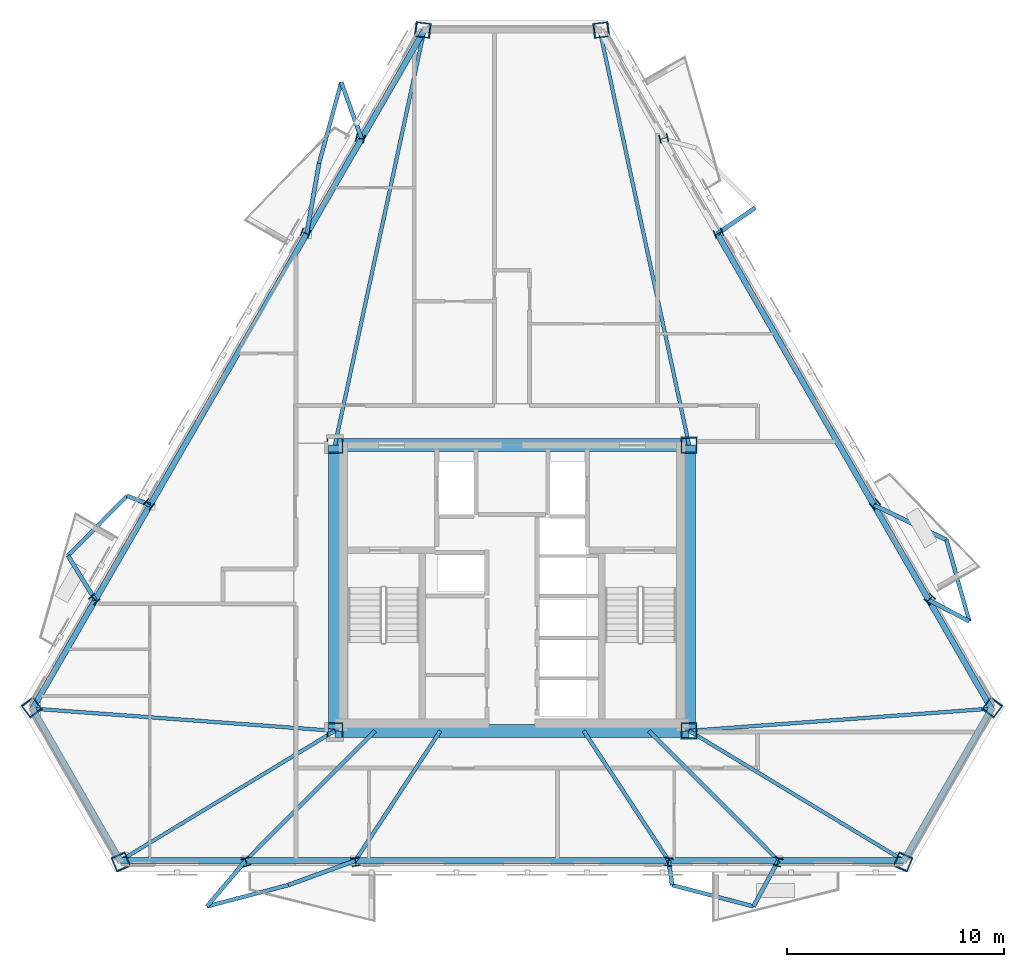
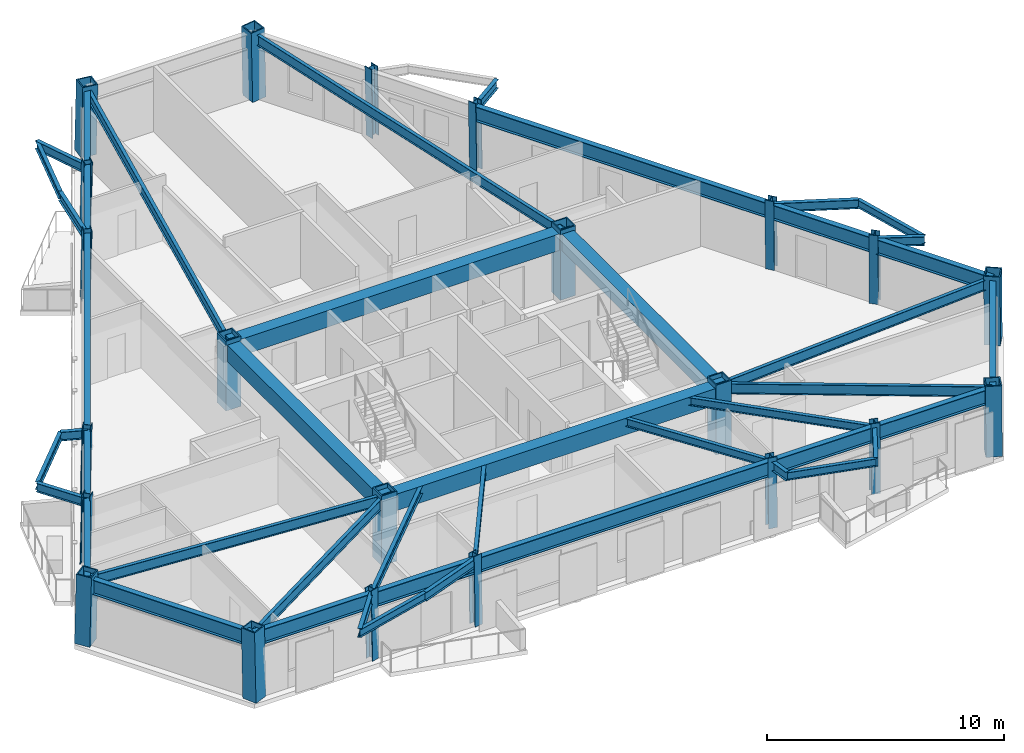
# One storey, part 1 of 9: 45 beams, 22 columns.
"""IFC4 building model written with IfcOpenShell, lengths in metres."""

from ifc_helpers import new_model, si_unit, direction, frame, origin, origin_2d, place, context, subcontext, project, spatial, rectangle, hollow_rectangle, i_section, extrude, material, material_profile, profile_set, type_object, element, save


model = new_model("IFC4")

# Units and contexts
model_context = context("Model", 3, precision=1e-05, world=origin(), true_north=direction((0.0, 1.0)))
body_context = subcontext(model_context, "Body", "Model", "MODEL_VIEW")
ifc_project = project(units=[si_unit("LENGTHUNIT", "METRE"), si_unit("AREAUNIT", "SQUARE_METRE"), si_unit("VOLUMEUNIT", "CUBIC_METRE"), si_unit("PLANEANGLEUNIT", "RADIAN"), si_unit("MASSUNIT", "GRAM", prefix="KILO")], contexts=[model_context])

# Site, building, storey
site_placement = place(None, origin())
site = spatial("IfcSite", under=ifc_project, at=site_placement, CompositionType="ELEMENT")
building_placement = place(site_placement, origin())
building = spatial("IfcBuilding", under=site, at=building_placement, Name="Oramaril Tower", CompositionType="ELEMENT")
storey_placement = place(building_placement, frame((0.0, 0.0, 178.199951171875)))
storey = spatial("IfcBuildingStorey", under=building, at=storey_placement, Name="L47", CompositionType="ELEMENT", Elevation=178.199951171875)

# Columns
ifc_material_1 = material(Name="Steel ASTM A572 Gr 50", Category="steel")
ifc_material_profile_1 = material_profile(ifc_material_1, hollow_rectangle(XDim=0.75, YDim=0.75, WallThickness=0.06005859375, at=origin_2d()), Name="BOX750X750X60")
ifc_profile_set_1 = profile_set([ifc_material_profile_1], Name="Steel ASTM A572 Gr 50")
column_type_1 = type_object("IfcColumnType", Name="CT-CC4", PredefinedType="COLUMN", material=ifc_profile_set_1)
for number, where, z_axis, x_axis, name in (
    (1, (29.35009765625, 11.0, 0.0), (0.0, 0.0, 1.0), (1.0, 0.0, 0.0), "L47 Core Column CC-1"),
    (2, (45.64990234375, 11.0, 0.0), (0.0, 0.0, 1.0), (1.0, 0.0, 0.0), "L47 Core Column CC-2"),
    (3, (45.64990234375, 24.14990234375, 0.0), (0.0, 0.0, 1.0), (1.0, 0.0, 0.0), "L47 Core Column CC-3"),
    (4, (29.35009765625, 24.14990234375, 0.0), (0.0, 0.0, 1.0), (1.0, 0.0, 0.0), "L47 Core Column CC-4"),
):
    element("IfcColumn", number, at=place(storey_placement, frame(where, z_axis=z_axis, x_axis=x_axis)), inside=storey, type_object=column_type_1, Name=name, PredefinedType="COLUMN", context=body_context, shape_type="SweptSolid", body=[
        extrude(hollow_rectangle(XDim=0.75, YDim=0.75, WallThickness=0.06005859375, at=origin_2d()), origin(), (0.0, 0.0, 1.0), 3.60009765625),
    ])
ifc_material_2 = material(Name="Steel ASTM A572 Gr 50", Category="steel")
ifc_material_profile_2 = material_profile(ifc_material_2, hollow_rectangle(XDim=0.699951171875, YDim=0.699951171875, WallThickness=0.054931640625, at=origin_2d()), Name="BOX700X700X55")
ifc_profile_set_2 = profile_set([ifc_material_profile_2], Name="Steel ASTM A572 Gr 50")
column_type_2 = type_object("IfcColumnType", Name="CT-TC4", PredefinedType="COLUMN", material=ifc_profile_set_2)
column_placement = place(storey_placement, frame((15.3876953125, 12.086669921875, 0.004638671875), z_axis=(0.013051000651, -0.017537282124, 0.999761029005), x_axis=(0.802233221274, 0.59701076932, 0.0)))
element("IfcColumn", 5, at=column_placement, inside=storey, type_object=column_type_2, Name="L47 Tube Column TC-01", PredefinedType="COLUMN", context=body_context, shape_type="SweptSolid", body=[
    extrude(hollow_rectangle(XDim=0.699951171875, YDim=0.699951171875, WallThickness=0.054931640625, at=origin_2d()), origin(), (0.0, 0.0, 1.0), 3.591796875),
])
for number, where, z_axis, x_axis, name in (
    (6, (19.50390625, 4.956787109375, 0.004638671875), (-0.008564729604, 0.020052343122, 0.999762246208), (-0.919628068882, -0.392790293827, 0.0), "L47 Tube Column TC-02"),
    (7, (55.49609375, 4.956787109375, 0.004638671875), (0.008564729604, 0.020052343122, 0.999762246208), (-0.919628068882, 0.392790293827, 0.0), "L47 Tube Column TC-03"),
):
    element("IfcColumn", number, at=place(storey_placement, frame(where, z_axis=z_axis, x_axis=x_axis)), inside=storey, type_object=column_type_2, Name=name, PredefinedType="COLUMN", context=body_context, shape_type="SweptSolid", body=[
        extrude(hollow_rectangle(XDim=0.699951171875, YDim=0.699951171875, WallThickness=0.054931640625, at=origin_2d()), origin(), (0.0, 0.0, 1.0), 3.591552734375),
    ])
for number, where, z_axis, x_axis, name in (
    (8, (59.6123046875, 12.086669921875, 0.004638671875), (-0.013051000651, -0.017537282124, 0.999761029005), (0.802233221274, -0.59701076932, 0.0), "L47 Tube Column TC-04"),
    (9, (41.616455078125, 43.256591796875, 0.004638671875), (-0.02168370496, -0.002583011876, 0.999761544064), (0.118285967789, -0.992979571705, 0.0), "L47 Tube Column TC-05"),
    (10, (33.383544921875, 43.256591796875, 0.004638671875), (0.02168370496, -0.002583011876, 0.999761544064), (0.118285967789, 0.992979571705, 0.0), "L47 Tube Column TC-06"),
):
    element("IfcColumn", number, at=place(storey_placement, frame(where, z_axis=z_axis, x_axis=x_axis)), inside=storey, type_object=column_type_2, Name=name, PredefinedType="COLUMN", context=body_context, shape_type="SweptSolid", body=[
        extrude(hollow_rectangle(XDim=0.699951171875, YDim=0.699951171875, WallThickness=0.054931640625, at=origin_2d()), origin(), (0.0, 0.0, 1.0), 3.591796875),
    ])
ifc_material_3 = material(Name="Steel ASTM A572 Gr 50", Category="steel")
ifc_material_profile_3 = material_profile(ifc_material_3, i_section(OverallWidth=0.39892578125, OverallDepth=0.385986328125, WebThickness=0.02099609375, FlangeThickness=0.033203125, at=origin_2d()), Name="W14X176")
ifc_profile_set_3 = profile_set([ifc_material_profile_3], Name="Steel ASTM A572 Gr 50")
column_type_3 = type_object("IfcColumnType", Name="CT-TF4", PredefinedType="COLUMN", material=ifc_profile_set_3)
for number, where, z_axis, x_axis, name in (
    (11, (25.2626953125, 4.956787109375, 0.004638671875), (-0.005845882352, 0.020052735974, 0.999781832921), (-0.960036440707, -0.279875030172, 0.0), "L47 Tube Column TC-07"),
    (12, (30.301513671875, 4.956787109375, 0.004638671875), (-0.003398807255, 0.020052962802, 0.999793142001), (-0.985938557634, -0.167108230108, 0.0), "L47 Tube Column TC-08"),
    (13, (44.698486328125, 4.956787109375, 0.004638671875), (0.003398807255, 0.020052962802, 0.999793142001), (-0.985938557634, 0.167108230108, 0.0), "L47 Tube Column TC-09"),
    (14, (49.7373046875, 4.956787109375, 0.004638671875), (0.005845882352, 0.020052735974, 0.999781832921), (-0.960036440707, 0.279875030172, 0.0), "L47 Tube Column TC-10"),
    (15, (56.73291015625, 17.07373046875, 0.004638671875), (-0.014410786177, -0.015090540242, 0.999782278717), (0.723207610722, -0.69063069132, 0.0), "L47 Tube Column TC-11"),
    (16, (54.213623046875, 21.4375, 0.004638671875), (-0.015702478016, -0.012983434203, 0.999792409763), (0.637226255418, -0.770676780113, 0.0), "L47 Tube Column TC-12"),
    (17, (47.01513671875, 33.905517578125, 0.004638671875), (-0.01910128565, -0.007069514974, 0.999792559907), (0.347096947919, -0.937829253513, 0.0), "L47 Tube Column TC-13"),
    (18, (44.495849609375, 38.269287109375, 0.004638671875), (-0.02032462297, -0.004962198919, 0.999781119187), (0.237180560732, -0.971465584368, 0.0), "L47 Tube Column TC-14"),
    (19, (30.504150390625, 38.269287109375, 0.004638671875), (0.02032462297, -0.004962198919, 0.999781119187), (0.237180560732, 0.971465584368, 0.0), "L47 Tube Column TC-15"),
    (20, (27.98486328125, 33.905517578125, 0.004638671875), (0.019101294785, -0.007001542216, 0.999793038055), (0.344156469266, 0.938912309357, 0.0), "L47 Tube Column TC-16"),
    (21, (20.786376953125, 21.4375, 0.004638671875), (0.015702478016, -0.012983434203, 0.999792409763), (0.637226255418, 0.770676780113, 0.0), "L47 Tube Column TC-17"),
    (22, (18.26708984375, 17.07373046875, 0.004638671875), (0.014410786177, -0.015090540242, 0.999782278717), (0.723207610722, 0.69063069132, 0.0), "L47 Tube Column TC-18"),
):
    element("IfcColumn", number, at=place(storey_placement, frame(where, z_axis=z_axis, x_axis=x_axis)), inside=storey, type_object=column_type_3, Name=name, PredefinedType="COLUMN", context=body_context, shape_type="SweptSolid", body=[
        extrude(i_section(OverallWidth=0.39892578125, OverallDepth=0.385986328125, WebThickness=0.02099609375, FlangeThickness=0.033203125, at=origin_2d()), origin(), (0.0, 0.0, 1.0), 3.591552734375),
    ])

# Beams
ifc_material_4 = material(Name="Steel ASTM A572 Gr 50", Category="steel")
ifc_material_profile_4 = material_profile(ifc_material_4, i_section(OverallWidth=0.19091796875, OverallDepth=0.45703125, WebThickness=0.009033203125, FlangeThickness=0.014404296875, at=origin_2d()), Name="W18X50")
ifc_profile_set_4 = profile_set([ifc_material_profile_4], Name="Steel ASTM A572 Gr 50")
beam_type_1 = type_object("IfcBeamType", Name="BT-BB1", PredefinedType="BEAM", material=ifc_profile_set_4)
beam_1_placement = place(storey_placement, frame((25.24169921875, 5.02880859375, 3.151611328125), z_axis=(-0.64539081158, -0.763852538339, 0.0), x_axis=(0.763852538339, -0.64539081158, 0.0)))
element("IfcBeam", 23, at=beam_1_placement, inside=storey, type_object=beam_type_1, Name="L47 Balcony Column-Framed Cantilever 01.1", PredefinedType="BEAM", context=body_context, shape_type="SweptSolid", body=[
    extrude(i_section(OverallWidth=0.19091796875, OverallDepth=0.45703125, WebThickness=0.009033203125, FlangeThickness=0.014404296875, at=origin_2d()), origin(), (0.0, 0.0, 1.0), 2.759521484375),
])
beam_2_placement = place(storey_placement, frame((30.289306640625, 5.02880859375, 3.151611328125), z_axis=(-0.939184260424, -0.34341363539, 0.0), x_axis=(0.34341363539, -0.939184260424, 0.0)))
element("IfcBeam", 24, at=beam_2_placement, inside=storey, type_object=beam_type_1, Name="L47 Balcony Column-Framed Cantilever 01.2", PredefinedType="BEAM", context=body_context, shape_type="SweptSolid", body=[
    extrude(i_section(OverallWidth=0.19091796875, OverallDepth=0.45703125, WebThickness=0.009033203125, FlangeThickness=0.014404296875, at=origin_2d()), origin(), (0.0, 0.0, 1.0), 3.284423828125),
])
beam_3_placement = place(storey_placement, frame((44.710693359375, 5.02880859375, 3.151611328125), z_axis=(0.140161077837, -0.990128714996, 0.0), x_axis=(0.990128714996, 0.140161077837, 0.0)))
element("IfcBeam", 25, at=beam_3_placement, inside=storey, type_object=beam_type_1, Name="L47 Balcony Column-Framed Cantilever 02.1", PredefinedType="BEAM", context=body_context, shape_type="SweptSolid", body=[
    extrude(i_section(OverallWidth=0.19091796875, OverallDepth=0.45703125, WebThickness=0.009033203125, FlangeThickness=0.014404296875, at=origin_2d()), origin(), (0.0, 0.0, 1.0), 1.13916015625),
])
beam_4_placement = place(storey_placement, frame((49.75830078125, 5.02880859375, 3.151611328125), z_axis=(-0.476932351481, -0.878940004842, 0.0), x_axis=(0.878940004842, -0.476932351481, 0.0)))
element("IfcBeam", 26, at=beam_4_placement, inside=storey, type_object=beam_type_1, Name="L47 Balcony Column-Framed Cantilever 02.2", PredefinedType="BEAM", context=body_context, shape_type="SweptSolid", body=[
    extrude(i_section(OverallWidth=0.19091796875, OverallDepth=0.45703125, WebThickness=0.009033203125, FlangeThickness=0.014404296875, at=origin_2d()), origin(), (0.0, 0.0, 1.0), 2.398193359375),
])
beam_5_placement = place(storey_placement, frame((56.68115234375, 17.01953125, 3.151611328125), z_axis=(0.885765795638, -0.464132475999, 0.0), x_axis=(0.464132475999, 0.885765795638, 0.0)))
element("IfcBeam", 27, at=beam_5_placement, inside=storey, type_object=beam_type_1, Name="L47 Balcony Column-Framed Cantilever 03.1", PredefinedType="BEAM", context=body_context, shape_type="SweptSolid", body=[
    extrude(i_section(OverallWidth=0.19091796875, OverallDepth=0.45703125, WebThickness=0.009033203125, FlangeThickness=0.014404296875, at=origin_2d()), origin(), (0.0, 0.0, 1.0), 2.108154296875),
])
beam_6_placement = place(storey_placement, frame((54.1572265625, 21.390869140625, 3.151611328125), z_axis=(0.901439641446, -0.432904808046, 0.0), x_axis=(0.432904808046, 0.901439641446, 0.0)))
element("IfcBeam", 28, at=beam_6_placement, inside=storey, type_object=beam_type_1, Name="L47 Balcony Column-Framed Cantilever 03.2", PredefinedType="BEAM", context=body_context, shape_type="SweptSolid", body=[
    extrude(i_section(OverallWidth=0.19091796875, OverallDepth=0.45703125, WebThickness=0.009033203125, FlangeThickness=0.014404296875, at=origin_2d()), origin(), (0.0, 0.0, 1.0), 3.7001953125),
])
beam_7_placement = place(storey_placement, frame((46.946533203125, 33.880126953125, 3.151611328125), z_axis=(0.8257799939, 0.563992377319, 0.0), x_axis=(-0.563992377319, 0.8257799939, 0.0)))
element("IfcBeam", 29, at=beam_7_placement, inside=storey, type_object=beam_type_1, Name="L47 Balcony Column-Framed Cantilever 04.1", PredefinedType="BEAM", context=body_context, shape_type="SweptSolid", body=[
    extrude(i_section(OverallWidth=0.19091796875, OverallDepth=0.45703125, WebThickness=0.009033203125, FlangeThickness=0.014404296875, at=origin_2d()), origin(), (0.0, 0.0, 1.0), 2.1142578125),
])
beam_8_placement = place(storey_placement, frame((30.5771484375, 38.25146484375, 3.151611328125), z_axis=(-0.338800910133, 0.940858088817, 0.0), x_axis=(-0.940858088817, -0.338800910133, 0.0)))
element("IfcBeam", 30, at=beam_8_placement, inside=storey, type_object=beam_type_1, Name="L47 Balcony Column-Framed Cantilever 05.1", PredefinedType="BEAM", context=body_context, shape_type="SweptSolid", body=[
    extrude(i_section(OverallWidth=0.19091796875, OverallDepth=0.45703125, WebThickness=0.009033203125, FlangeThickness=0.014404296875, at=origin_2d()), origin(), (0.0, 0.0, 1.0), 2.760009765625),
])
beam_9_placement = place(storey_placement, frame((28.053466796875, 33.88037109375, 3.151611328125), z_axis=(0.172156740338, 0.985069569501, 0.0), x_axis=(-0.985069569501, 0.172156740338, 0.0)))
element("IfcBeam", 31, at=beam_9_placement, inside=storey, type_object=beam_type_1, Name="L47 Balcony Column-Framed Cantilever 05.2", PredefinedType="BEAM", context=body_context, shape_type="SweptSolid", body=[
    extrude(i_section(OverallWidth=0.19091796875, OverallDepth=0.45703125, WebThickness=0.009033203125, FlangeThickness=0.014404296875, at=origin_2d()), origin(), (0.0, 0.0, 1.0), 3.284423828125),
])
beam_10_placement = place(storey_placement, frame((20.8427734375, 21.390869140625, 3.151611328125), z_axis=(-0.927557693746, 0.373679976413, 0.0), x_axis=(-0.373679976413, -0.927557693746, 0.0)))
element("IfcBeam", 32, at=beam_10_placement, inside=storey, type_object=beam_type_1, Name="L47 Balcony Column-Framed Cantilever 06.1", PredefinedType="BEAM", context=body_context, shape_type="SweptSolid", body=[
    extrude(i_section(OverallWidth=0.19091796875, OverallDepth=0.45703125, WebThickness=0.009033203125, FlangeThickness=0.014404296875, at=origin_2d()), origin(), (0.0, 0.0, 1.0), 1.139404296875),
])
beam_11_placement = place(storey_placement, frame((18.31884765625, 17.01953125, 3.151611328125), z_axis=(-0.52270526866, 0.852513461545, 0.0), x_axis=(-0.852513461545, -0.52270526866, 0.0)))
element("IfcBeam", 33, at=beam_11_placement, inside=storey, type_object=beam_type_1, Name="L47 Balcony Column-Framed Cantilever 06.2", PredefinedType="BEAM", context=body_context, shape_type="SweptSolid", body=[
    extrude(i_section(OverallWidth=0.19091796875, OverallDepth=0.45703125, WebThickness=0.009033203125, FlangeThickness=0.014404296875, at=origin_2d()), origin(), (0.0, 0.0, 1.0), 2.3984375),
])
ifc_material_5 = material(Name="Concrete C50/60", Category="concrete")
ifc_material_profile_5 = material_profile(ifc_material_5, rectangle(XDim=0.60009765625, YDim=0.85009765625, at=origin_2d()), Name="CB600X850")
ifc_profile_set_5 = profile_set([ifc_material_profile_5], Name="Concrete C50/60")
beam_type_2 = type_object("IfcBeamType", Name="BT-CB2", PredefinedType="BEAM", material=ifc_profile_set_5)
beam_12_placement = place(storey_placement, frame((29.35009765625, 11.0, 2.955078125), z_axis=(1.0, 0.0, 0.0), x_axis=(0.0, 1.0, 0.0)))
element("IfcBeam", 34, at=beam_12_placement, inside=storey, type_object=beam_type_2, Name="L47 Core Header Beam CB-1", PredefinedType="BEAM", context=body_context, shape_type="SweptSolid", body=[
    extrude(rectangle(XDim=0.60009765625, YDim=0.85009765625, at=origin_2d()), origin(), (0.0, 0.0, 1.0), 16.2998046875),
])
beam_13_placement = place(storey_placement, frame((45.64990234375, 11.0, 2.955078125), z_axis=(0.0, 1.0, 0.0), x_axis=(-1.0, 0.0, 0.0)))
element("IfcBeam", 35, at=beam_13_placement, inside=storey, type_object=beam_type_2, Name="L47 Core Header Beam CB-2", PredefinedType="BEAM", context=body_context, shape_type="SweptSolid", body=[
    extrude(rectangle(XDim=0.60009765625, YDim=0.85009765625, at=origin_2d()), origin(), (0.0, 0.0, 1.0), 13.14990234375),
])
beam_14_placement = place(storey_placement, frame((45.64990234375, 24.14990234375, 2.955078125), z_axis=(-1.0, 0.0, 0.0), x_axis=(0.0, -1.0, 0.0)))
element("IfcBeam", 36, at=beam_14_placement, inside=storey, type_object=beam_type_2, Name="L47 Core Header Beam CB-3", PredefinedType="BEAM", context=body_context, shape_type="SweptSolid", body=[
    extrude(rectangle(XDim=0.60009765625, YDim=0.85009765625, at=origin_2d()), origin(), (0.0, 0.0, 1.0), 16.2998046875),
])
beam_15_placement = place(storey_placement, frame((29.35009765625, 24.14990234375, 2.955078125), z_axis=(0.0, -1.0, 0.0), x_axis=(1.0, 0.0, 0.0)))
element("IfcBeam", 37, at=beam_15_placement, inside=storey, type_object=beam_type_2, Name="L47 Core Header Beam CB-4", PredefinedType="BEAM", context=body_context, shape_type="SweptSolid", body=[
    extrude(rectangle(XDim=0.60009765625, YDim=0.85009765625, at=origin_2d()), origin(), (0.0, 0.0, 1.0), 13.14990234375),
])
ifc_material_6 = material(Name="Steel ASTM A572 Gr 50", Category="steel")
ifc_material_profile_6 = material_profile(ifc_material_6, i_section(OverallWidth=0.166015625, OverallDepth=0.528076171875, WebThickness=0.009765625, FlangeThickness=0.013671875, at=origin_2d()), Name="W21X50")
ifc_profile_set_6 = profile_set([ifc_material_profile_6], Name="Steel ASTM A572 Gr 50")
beam_type_3 = type_object("IfcBeamType", Name="BT-FB3", PredefinedType="BEAM", material=ifc_profile_set_6)
beam_16_placement = place(storey_placement, frame((29.35009765625, 11.0, 3.115966796875), z_axis=(-0.997305103057, 0.073365737344, 0.0), x_axis=(-0.073365737344, -0.997305103057, 0.0)))
element("IfcBeam", 38, at=beam_16_placement, inside=storey, type_object=beam_type_3, Name="L47 Radial Primary Beam RB-01", PredefinedType="BEAM", context=body_context, shape_type="SweptSolid", body=[
    extrude(i_section(OverallWidth=0.166015625, OverallDepth=0.528076171875, WebThickness=0.009765625, FlangeThickness=0.013671875, at=origin_2d()), origin(), (0.0, 0.0, 1.0), 13.953125),
])
for number, where, z_axis, x_axis, name in (
    (39, (29.35009765625, 11.0, 3.115966796875), (-0.85576726737, -0.517360980456, 0.0), (0.517360980456, -0.85576726737, 0.0), "L47 Radial Primary Beam RB-02"),
    (40, (45.64990234375, 11.0, 3.115966796875), (0.85576726737, -0.517360980456, 0.0), (0.517360980456, 0.85576726737, 0.0), "L47 Radial Primary Beam RB-03"),
):
    element("IfcBeam", number, at=place(storey_placement, frame(where, z_axis=z_axis, x_axis=x_axis)), inside=storey, type_object=beam_type_3, Name=name, PredefinedType="BEAM", context=body_context, shape_type="SweptSolid", body=[
        extrude(i_section(OverallWidth=0.166015625, OverallDepth=0.528076171875, WebThickness=0.009765625, FlangeThickness=0.013671875, at=origin_2d()), origin(), (0.0, 0.0, 1.0), 11.541748046875),
    ])
beam_17_placement = place(storey_placement, frame((45.64990234375, 11.0, 3.115966796875), z_axis=(0.997305103057, 0.073365737344, 0.0), x_axis=(-0.073365737344, 0.997305103057, 0.0)))
element("IfcBeam", 41, at=beam_17_placement, inside=storey, type_object=beam_type_3, Name="L47 Radial Primary Beam RB-04", PredefinedType="BEAM", context=body_context, shape_type="SweptSolid", body=[
    extrude(i_section(OverallWidth=0.166015625, OverallDepth=0.528076171875, WebThickness=0.009765625, FlangeThickness=0.013671875, at=origin_2d()), origin(), (0.0, 0.0, 1.0), 13.953125),
])
for number, where, z_axis, x_axis, name in (
    (42, (45.64990234375, 24.14990234375, 3.115966796875), (-0.210460158911, 0.977602435303, 0.0), (-0.977602435303, -0.210460158911, 0.0), "L47 Radial Primary Beam RB-05"),
    (43, (29.35009765625, 24.14990234375, 3.115966796875), (0.210460158911, 0.977602435303, 0.0), (-0.977602435303, 0.210460158911, 0.0), "L47 Radial Primary Beam RB-06"),
):
    element("IfcBeam", number, at=place(storey_placement, frame(where, z_axis=z_axis, x_axis=x_axis)), inside=storey, type_object=beam_type_3, Name=name, PredefinedType="BEAM", context=body_context, shape_type="SweptSolid", body=[
        extrude(i_section(OverallWidth=0.166015625, OverallDepth=0.528076171875, WebThickness=0.009765625, FlangeThickness=0.013671875, at=origin_2d()), origin(), (0.0, 0.0, 1.0), 19.534912109375),
    ])
ifc_material_7 = material(Name="Steel ASTM A572 Gr 50", Category="steel")
ifc_material_profile_7 = material_profile(ifc_material_7, i_section(OverallWidth=0.177978515625, OverallDepth=0.404052734375, WebThickness=0.007568359375, FlangeThickness=0.010986328125, at=origin_2d()), Name="W16X36")
ifc_profile_set_7 = profile_set([ifc_material_profile_7], Name="Steel ASTM A572 Gr 50")
beam_type_4 = type_object("IfcBeamType", Name="BT-SB1", PredefinedType="BEAM", material=ifc_profile_set_7)
beam_18_placement = place(storey_placement, frame((31.199951171875, 11.0, 3.177978515625), z_axis=(-0.706339391502, -0.707873338962, 0.0), x_axis=(0.707873338962, -0.706339391502, 0.0)))
element("IfcBeam", 44, at=beam_18_placement, inside=storey, type_object=beam_type_4, Name="L47 Secondary Floor Beam SB-01", PredefinedType="BEAM", context=body_context, shape_type="SweptSolid", body=[
    extrude(i_section(OverallWidth=0.177978515625, OverallDepth=0.404052734375, WebThickness=0.007568359375, FlangeThickness=0.010986328125, at=origin_2d()), origin(), (0.0, 0.0, 1.0), 8.435302734375),
])
for number, where, z_axis, x_axis, name in (
    (45, (34.199951171875, 11.0, 3.177978515625), (-0.547877709368, -0.836558435244, 0.0), (0.836558435244, -0.547877709368, 0.0), "L47 Secondary Floor Beam SB-02"),
    (46, (40.800048828125, 11.0, 3.177978515625), (0.547877709368, -0.836558435244, 0.0), (0.836558435244, 0.547877709368, 0.0), "L47 Secondary Floor Beam SB-03"),
):
    element("IfcBeam", number, at=place(storey_placement, frame(where, z_axis=z_axis, x_axis=x_axis)), inside=storey, type_object=beam_type_4, Name=name, PredefinedType="BEAM", context=body_context, shape_type="SweptSolid", body=[
        extrude(i_section(OverallWidth=0.177978515625, OverallDepth=0.404052734375, WebThickness=0.007568359375, FlangeThickness=0.010986328125, at=origin_2d()), origin(), (0.0, 0.0, 1.0), 7.1376953125),
    ])
beam_19_placement = place(storey_placement, frame((43.800048828125, 11.0, 3.177978515625), z_axis=(0.706339391502, -0.707873338962, 0.0), x_axis=(0.707873338962, 0.706339391502, 0.0)))
element("IfcBeam", 47, at=beam_19_placement, inside=storey, type_object=beam_type_4, Name="L47 Secondary Floor Beam SB-04", PredefinedType="BEAM", context=body_context, shape_type="SweptSolid", body=[
    extrude(i_section(OverallWidth=0.177978515625, OverallDepth=0.404052734375, WebThickness=0.007568359375, FlangeThickness=0.010986328125, at=origin_2d()), origin(), (0.0, 0.0, 1.0), 8.435302734375),
])
beam_20_placement = place(storey_placement, frame((23.460693359375, 2.9208984375, 3.177978515625), z_axis=(0.967407922874, 0.253223045479, 0.0), x_axis=(-0.253223045479, 0.967407922874, 0.0)))
element("IfcBeam", 48, at=beam_20_placement, inside=storey, type_object=beam_type_4, Name="L47 Balcony Edge Tie Beam 01", PredefinedType="BEAM", context=body_context, shape_type="SweptSolid", body=[
    extrude(i_section(OverallWidth=0.177978515625, OverallDepth=0.404052734375, WebThickness=0.007568359375, FlangeThickness=0.010986328125, at=origin_2d()), origin(), (0.0, 0.0, 1.0), 3.8701171875),
])
beam_21_placement = place(storey_placement, frame((44.870361328125, 3.90087890625, 3.177978515625), z_axis=(0.967411967632, -0.253207592467, 0.0), x_axis=(0.253207592467, 0.967411967632, 0.0)))
element("IfcBeam", 49, at=beam_21_placement, inside=storey, type_object=beam_type_4, Name="L47 Balcony Edge Tie Beam 02", PredefinedType="BEAM", context=body_context, shape_type="SweptSolid", body=[
    extrude(i_section(OverallWidth=0.177978515625, OverallDepth=0.404052734375, WebThickness=0.007568359375, FlangeThickness=0.010986328125, at=origin_2d()), origin(), (0.0, 0.0, 1.0), 3.870361328125),
])
beam_22_placement = place(storey_placement, frame((58.548583984375, 16.041015625, 3.177978515625), z_axis=(-0.271166787569, 0.962532375206, 0.0), x_axis=(-0.962532375206, -0.271166787569, 0.0)))
element("IfcBeam", 50, at=beam_22_placement, inside=storey, type_object=beam_type_4, Name="L47 Balcony Edge Tie Beam 03", PredefinedType="BEAM", context=body_context, shape_type="SweptSolid", body=[
    extrude(i_section(OverallWidth=0.177978515625, OverallDepth=0.404052734375, WebThickness=0.007568359375, FlangeThickness=0.010986328125, at=origin_2d()), origin(), (0.0, 0.0, 1.0), 3.89404296875),
])
for number, where, z_axis, x_axis, name in (
    (51, (29.64208984375, 40.84814453125, 3.177978515625), (-0.264382243015, -0.964417974521, 0.0), (0.964417974521, -0.264382243015, 0.0), "L47 Balcony Edge Tie Beam 05"),
    (52, (19.785888671875, 21.816650390625, 3.177978515625), (-0.702994511648, -0.71119527318, 0.0), (0.71119527318, -0.702994511648, 0.0), "L47 Balcony Edge Tie Beam 06"),
):
    element("IfcBeam", number, at=place(storey_placement, frame(where, z_axis=z_axis, x_axis=x_axis)), inside=storey, type_object=beam_type_4, Name=name, PredefinedType="BEAM", context=body_context, shape_type="SweptSolid", body=[
        extrude(i_section(OverallWidth=0.177978515625, OverallDepth=0.404052734375, WebThickness=0.007568359375, FlangeThickness=0.010986328125, at=origin_2d()), origin(), (0.0, 0.0, 1.0), 3.8701171875),
    ])
ifc_material_8 = material(Name="Steel ASTM A572 Gr 50", Category="steel")
ifc_material_profile_8 = material_profile(ifc_material_8, i_section(OverallWidth=0.26708984375, OverallDepth=0.77001953125, WebThickness=0.015625, FlangeThickness=0.025390625, at=origin_2d()), Name="W30X132")
ifc_profile_set_8 = profile_set([ifc_material_profile_8], Name="Steel ASTM A572 Gr 50")
beam_type_5 = type_object("IfcBeamType", Name="BT-SP3", PredefinedType="SPANDREL", material=ifc_profile_set_8)
beam_23_placement = place(storey_placement, frame((15.4345703125, 12.023681640625, 2.9951171875), z_axis=(0.500007649659, -0.866020987207, 0.0), x_axis=(0.866020987207, 0.500007649659, 0.0)))
element("IfcBeam", 53, at=beam_23_placement, inside=storey, type_object=beam_type_5, Name="L47 Perimeter Spandrel 01", PredefinedType="SPANDREL", context=body_context, shape_type="SweptSolid", body=[
    extrude(i_section(OverallWidth=0.26708984375, OverallDepth=0.77001953125, WebThickness=0.015625, FlangeThickness=0.025390625, at=origin_2d()), origin(), (0.0, 0.0, 1.0), 8.076904296875),
])
beam_24_placement = place(storey_placement, frame((19.47314453125, 5.02880859375, 2.9951171875), z_axis=(1.0, 0.0, 0.0), x_axis=(0.0, 1.0, 0.0)))
element("IfcBeam", 54, at=beam_24_placement, inside=storey, type_object=beam_type_5, Name="L47 Perimeter Spandrel 02", PredefinedType="SPANDREL", context=body_context, shape_type="SweptSolid", body=[
    extrude(i_section(OverallWidth=0.26708984375, OverallDepth=0.77001953125, WebThickness=0.015625, FlangeThickness=0.025390625, at=origin_2d()), origin(), (0.0, 0.0, 1.0), 5.7685546875),
])
beam_25_placement = place(storey_placement, frame((25.24169921875, 5.02880859375, 2.9951171875), z_axis=(1.0, 0.0, 0.0), x_axis=(0.0, 1.0, 0.0)))
element("IfcBeam", 55, at=beam_25_placement, inside=storey, type_object=beam_type_5, Name="L47 Perimeter Spandrel 03", PredefinedType="SPANDREL", context=body_context, shape_type="SweptSolid", body=[
    extrude(i_section(OverallWidth=0.26708984375, OverallDepth=0.77001953125, WebThickness=0.015625, FlangeThickness=0.025390625, at=origin_2d()), origin(), (0.0, 0.0, 1.0), 5.047607421875),
])
beam_26_placement = place(storey_placement, frame((30.289306640625, 5.02880859375, 2.9951171875), z_axis=(1.0, 0.0, 0.0), x_axis=(0.0, 1.0, 0.0)))
element("IfcBeam", 56, at=beam_26_placement, inside=storey, type_object=beam_type_5, Name="L47 Perimeter Spandrel 04", PredefinedType="SPANDREL", context=body_context, shape_type="SweptSolid", body=[
    extrude(i_section(OverallWidth=0.26708984375, OverallDepth=0.77001953125, WebThickness=0.015625, FlangeThickness=0.025390625, at=origin_2d()), origin(), (0.0, 0.0, 1.0), 14.42138671875),
])
beam_27_placement = place(storey_placement, frame((44.710693359375, 5.02880859375, 2.9951171875), z_axis=(1.0, 0.0, 0.0), x_axis=(0.0, 1.0, 0.0)))
element("IfcBeam", 57, at=beam_27_placement, inside=storey, type_object=beam_type_5, Name="L47 Perimeter Spandrel 05", PredefinedType="SPANDREL", context=body_context, shape_type="SweptSolid", body=[
    extrude(i_section(OverallWidth=0.26708984375, OverallDepth=0.77001953125, WebThickness=0.015625, FlangeThickness=0.025390625, at=origin_2d()), origin(), (0.0, 0.0, 1.0), 5.047607421875),
])
beam_28_placement = place(storey_placement, frame((49.75830078125, 5.02880859375, 2.9951171875), z_axis=(1.0, 0.0, 0.0), x_axis=(0.0, 1.0, 0.0)))
element("IfcBeam", 58, at=beam_28_placement, inside=storey, type_object=beam_type_5, Name="L47 Perimeter Spandrel 06", PredefinedType="SPANDREL", context=body_context, shape_type="SweptSolid", body=[
    extrude(i_section(OverallWidth=0.26708984375, OverallDepth=0.77001953125, WebThickness=0.015625, FlangeThickness=0.025390625, at=origin_2d()), origin(), (0.0, 0.0, 1.0), 5.7685546875),
])
beam_29_placement = place(storey_placement, frame((55.52685546875, 5.02880859375, 2.9951171875), z_axis=(0.500007649659, 0.866020987207, 0.0), x_axis=(-0.866020987207, 0.500007649659, 0.0)))
element("IfcBeam", 59, at=beam_29_placement, inside=storey, type_object=beam_type_5, Name="L47 Perimeter Spandrel 07", PredefinedType="SPANDREL", context=body_context, shape_type="SweptSolid", body=[
    extrude(i_section(OverallWidth=0.26708984375, OverallDepth=0.77001953125, WebThickness=0.015625, FlangeThickness=0.025390625, at=origin_2d()), origin(), (0.0, 0.0, 1.0), 8.076904296875),
])
beam_30_placement = place(storey_placement, frame((59.5654296875, 12.023681640625, 2.9951171875), z_axis=(-0.499989888488, 0.86603124159, 0.0), x_axis=(-0.86603124159, -0.499989888488, 0.0)))
element("IfcBeam", 60, at=beam_30_placement, inside=storey, type_object=beam_type_5, Name="L47 Perimeter Spandrel 08", PredefinedType="SPANDREL", context=body_context, shape_type="SweptSolid", body=[
    extrude(i_section(OverallWidth=0.26708984375, OverallDepth=0.77001953125, WebThickness=0.015625, FlangeThickness=0.025390625, at=origin_2d()), origin(), (0.0, 0.0, 1.0), 5.7685546875),
])
beam_31_placement = place(storey_placement, frame((56.68115234375, 17.01953125, 2.9951171875), z_axis=(-0.500019713001, 0.866014022179, 0.0), x_axis=(-0.866014022179, -0.500019713001, 0.0)))
element("IfcBeam", 61, at=beam_31_placement, inside=storey, type_object=beam_type_5, Name="L47 Perimeter Spandrel 09", PredefinedType="SPANDREL", context=body_context, shape_type="SweptSolid", body=[
    extrude(i_section(OverallWidth=0.26708984375, OverallDepth=0.77001953125, WebThickness=0.015625, FlangeThickness=0.025390625, at=origin_2d()), origin(), (0.0, 0.0, 1.0), 5.047607421875),
])
beam_32_placement = place(storey_placement, frame((54.1572265625, 21.390869140625, 2.9951171875), z_axis=(-0.500000884071, 0.866024893365, 0.0), x_axis=(-0.866024893365, -0.500000884071, 0.0)))
element("IfcBeam", 62, at=beam_32_placement, inside=storey, type_object=beam_type_5, Name="L47 Perimeter Spandrel 10", PredefinedType="SPANDREL", context=body_context, shape_type="SweptSolid", body=[
    extrude(i_section(OverallWidth=0.26708984375, OverallDepth=0.77001953125, WebThickness=0.015625, FlangeThickness=0.025390625, at=origin_2d()), origin(), (0.0, 0.0, 1.0), 14.42138671875),
])
beam_33_placement = place(storey_placement, frame((33.46142578125, 43.247314453125, 2.9951171875), z_axis=(-0.499989888488, -0.86603124159, 0.0), x_axis=(0.86603124159, -0.499989888488, 0.0)))
element("IfcBeam", 63, at=beam_33_placement, inside=storey, type_object=beam_type_5, Name="L47 Perimeter Spandrel 14", PredefinedType="SPANDREL", context=body_context, shape_type="SweptSolid", body=[
    extrude(i_section(OverallWidth=0.26708984375, OverallDepth=0.77001953125, WebThickness=0.015625, FlangeThickness=0.025390625, at=origin_2d()), origin(), (0.0, 0.0, 1.0), 5.7685546875),
])
beam_34_placement = place(storey_placement, frame((30.5771484375, 38.25146484375, 2.9951171875), z_axis=(-0.500004381638, -0.86602287403, 0.0), x_axis=(0.86602287403, -0.500004381638, 0.0)))
element("IfcBeam", 64, at=beam_34_placement, inside=storey, type_object=beam_type_5, Name="L47 Perimeter Spandrel 15", PredefinedType="SPANDREL", context=body_context, shape_type="SweptSolid", body=[
    extrude(i_section(OverallWidth=0.26708984375, OverallDepth=0.77001953125, WebThickness=0.015625, FlangeThickness=0.025390625, at=origin_2d()), origin(), (0.0, 0.0, 1.0), 5.04736328125),
])
beam_35_placement = place(storey_placement, frame((28.053466796875, 33.88037109375, 2.9951171875), z_axis=(-0.499993553638, -0.866029125561, 0.0), x_axis=(0.866029125561, -0.499993553638, 0.0)))
element("IfcBeam", 65, at=beam_35_placement, inside=storey, type_object=beam_type_5, Name="L47 Perimeter Spandrel 16", PredefinedType="SPANDREL", context=body_context, shape_type="SweptSolid", body=[
    extrude(i_section(OverallWidth=0.26708984375, OverallDepth=0.77001953125, WebThickness=0.015625, FlangeThickness=0.025390625, at=origin_2d()), origin(), (0.0, 0.0, 1.0), 14.421630859375),
])
beam_36_placement = place(storey_placement, frame((20.8427734375, 21.390869140625, 2.9951171875), z_axis=(-0.500019713001, -0.866014022179, 0.0), x_axis=(0.866014022179, -0.500019713001, 0.0)))
element("IfcBeam", 66, at=beam_36_placement, inside=storey, type_object=beam_type_5, Name="L47 Perimeter Spandrel 17", PredefinedType="SPANDREL", context=body_context, shape_type="SweptSolid", body=[
    extrude(i_section(OverallWidth=0.26708984375, OverallDepth=0.77001953125, WebThickness=0.015625, FlangeThickness=0.025390625, at=origin_2d()), origin(), (0.0, 0.0, 1.0), 5.047607421875),
])
beam_37_placement = place(storey_placement, frame((18.31884765625, 17.01953125, 2.9951171875), z_axis=(-0.499989888488, -0.86603124159, 0.0), x_axis=(0.86603124159, -0.499989888488, 0.0)))
element("IfcBeam", 67, at=beam_37_placement, inside=storey, type_object=beam_type_5, Name="L47 Perimeter Spandrel 18", PredefinedType="SPANDREL", context=body_context, shape_type="SweptSolid", body=[
    extrude(i_section(OverallWidth=0.26708984375, OverallDepth=0.77001953125, WebThickness=0.015625, FlangeThickness=0.025390625, at=origin_2d()), origin(), (0.0, 0.0, 1.0), 5.7685546875),
])

save(model, "model.ifc")
